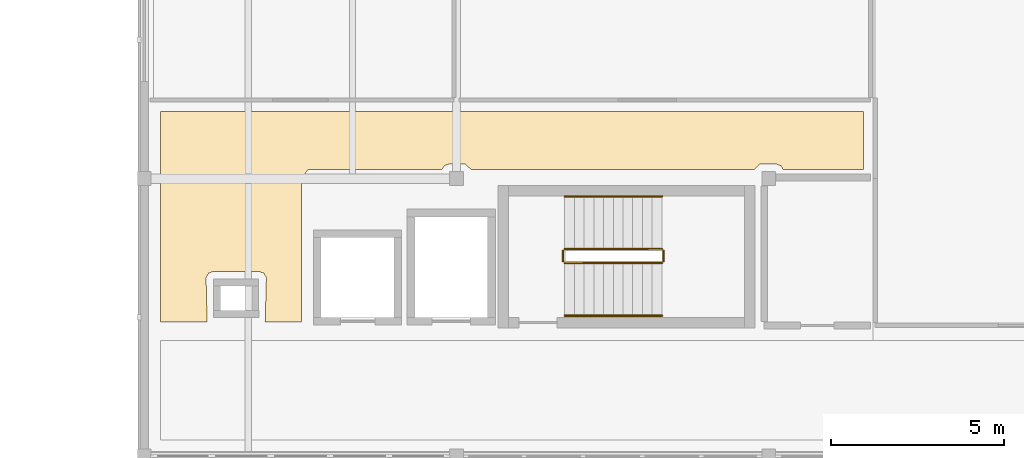
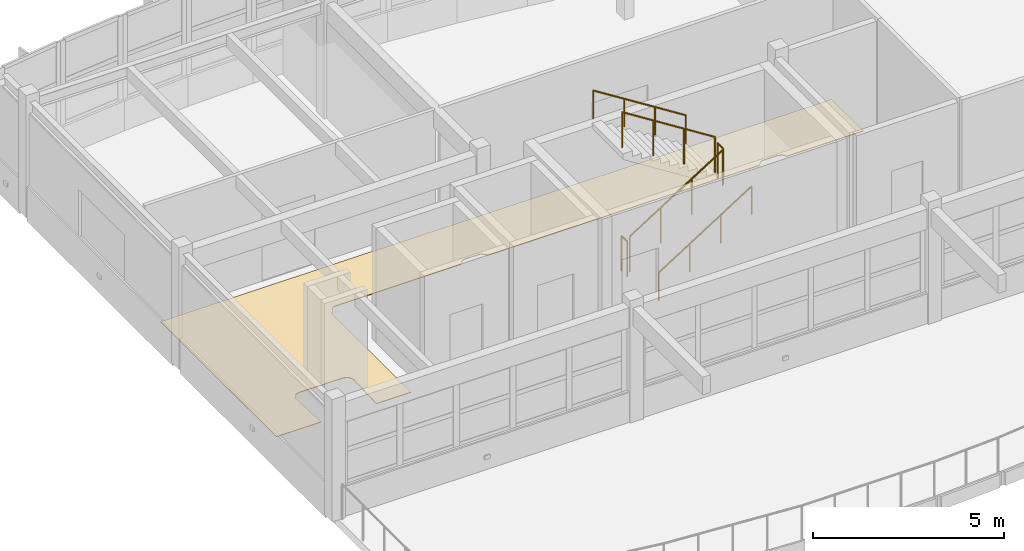
# One storey, part 45 of 52: 6 railings, 1 covering.
"""IFC4 building model written with IfcOpenShell, lengths in metres."""

from ifc_helpers import new_model, si_unit, direction, frame, origin, origin_2d, place, context, subcontext, project, spatial, polyline, circle, outline, extrude, material, layer, layer_set, type_object, element, save


model = new_model("IFC4")

# Units and contexts
model_context = context("Model", 3, precision=1e-05, world=origin(), true_north=direction((0.0, 1.0)))
body_context = subcontext(model_context, "Body", "Model", "MODEL_VIEW")
ifc_project = project(units=[si_unit("LENGTHUNIT", "METRE"), si_unit("AREAUNIT", "SQUARE_METRE"), si_unit("VOLUMEUNIT", "CUBIC_METRE"), si_unit("PLANEANGLEUNIT", "RADIAN"), si_unit("MASSUNIT", "GRAM", prefix="KILO")], contexts=[model_context])

# Site, building, storey
site_placement = place(None, origin())
site = spatial("IfcSite", under=ifc_project, at=site_placement, CompositionType="ELEMENT")
building_placement = place(site_placement, origin())
building = spatial("IfcBuilding", under=site, at=building_placement, Name="Tonlespit Floodbar School", CompositionType="ELEMENT")
storey_placement = place(building_placement, frame((0.0, 0.0, 12.300048828125)))
storey = spatial("IfcBuildingStorey", under=building, at=storey_placement, Name="L03", CompositionType="ELEMENT", Elevation=12.300048828125)

# Covering
ifc_material_1 = material(Name="Terrazzo Tile")
ifc_layer = layer(ifc_material_1, 0.02001953125)
ifc_layer_set = layer_set([ifc_layer], Name="Terrazzo Tile")
covering_type = type_object("IfcCoveringType", Name="Flooring_Terrazzo_20", PredefinedType="FLOORING", material=ifc_layer_set)
covering_placement = place(storey_placement, origin())
element("IfcCovering", 1, at=covering_placement, inside=storey, type_object=covering_type, Name="L03 West Lobby Passage L03 terrazzo flooring", PredefinedType="FLOORING", context=body_context, shape_type="SweptSolid", body=[
    extrude(outline(polyline([(45.781005859375, 109.1396484375), (45.81298828125, 107.8701171875), (44.469970703125, 107.8701171875), (44.469970703125, 113.929931640625), (64.72998046875, 113.929931640625), (64.72998046875, 112.27001953125), (62.413330078125, 112.27001953125), (62.346923828125, 112.37451171875), (62.219970703125, 112.419921875), (61.740966796875, 112.416259765625), (61.586669921875, 112.27001953125), (53.413330078125, 112.27001953125), (53.259033203125, 112.416259765625), (52.780029296875, 112.419921875), (52.653076171875, 112.37451171875), (52.586669921875, 112.27001953125), (48.718505859375, 112.25732421875), (48.530029296875, 112.0), (48.530029296875, 107.8701171875), (47.487060546875, 107.8701171875), (47.51904296875, 109.1396484375), (47.447021484375, 109.274658203125), (47.320068359375, 109.320068359375), (45.97998046875, 109.320068359375), (45.85302734375, 109.274658203125), (45.781005859375, 109.1396484375)])), origin(), (0.0, 0.0, 1.0), 0.02001953125),
])

# Railings
ifc_material_2 = material(Name="Galvanised Steel", Category="steel")
railing_type_1 = type_object("IfcRailingType", Name="Guard_Int_1150", PredefinedType="BALUSTRADE", material=ifc_material_2)
railing_1_placement = place(storey_placement, frame((56.1201171875, 109.570068359375, 0.17724609375)))
element("IfcRailing", 2, at=railing_1_placement, inside=storey, type_object=railing_type_1, Name="L03 ST-C1 stair guard 1", PredefinedType="BALUSTRADE", context=body_context, shape_type="SweptSolid", body=[
    extrude(circle(Radius=0.02392578125, at=origin_2d()), frame((0.0, 0.0, 1.1259765625), z_axis=(0.844887892834, 0.0, 0.53494340686), x_axis=(0.0, 1.0, 0.0)), (0.0, 0.0, 1.0), 3.313720703125),
    extrude(circle(Radius=0.02099609375, at=origin_2d()), origin(), (0.0, 0.0, 1.0), 1.101806640625),
    extrude(circle(Radius=0.02099609375, at=origin_2d()), frame((0.933349609375, 0.0, 0.5908203125)), (0.0, 0.0, 1.0), 1.101806640625),
    extrude(circle(Radius=0.02099609375, at=origin_2d()), frame((1.866455078125, 0.0, 1.181884765625)), (0.0, 0.0, 1.0), 1.101806640625),
    extrude(circle(Radius=0.02099609375, at=origin_2d()), frame((2.7998046875, 0.0, 1.772705078125)), (0.0, 0.0, 1.0), 1.101806640625),
])
railing_2_placement = place(storey_placement, frame((58.969970703125, 109.6201171875, 1.949951171875)))
element("IfcRailing", 3, at=railing_2_placement, inside=storey, type_object=railing_type_1, Name="L03 ST-C1 stair guard 2", PredefinedType="BALUSTRADE", context=body_context, shape_type="SweptSolid", body=[
    extrude(circle(Radius=0.02392578125, at=origin_2d()), frame((0.0, 0.0, 1.1259765625), z_axis=(0.0, 1.0, 0.0), x_axis=(-1.0, 0.0, 0.0)), (0.0, 0.0, 1.0), 0.2998046875),
    extrude(circle(Radius=0.02099609375, at=origin_2d()), origin(), (0.0, 0.0, 1.0), 1.101806640625),
    extrude(circle(Radius=0.02099609375, at=origin_2d()), frame((0.0, 0.2998046875, 0.0)), (0.0, 0.0, 1.0), 1.101806640625),
])
railing_3_placement = place(storey_placement, frame((58.919921875, 109.969970703125, 2.127197265625)))
element("IfcRailing", 4, at=railing_3_placement, inside=storey, type_object=railing_type_1, Name="L03 ST-C1 stair guard 3", PredefinedType="BALUSTRADE", context=body_context, shape_type="SweptSolid", body=[
    extrude(circle(Radius=0.02392578125, at=origin_2d()), frame((0.0, 0.0, 1.1259765625), z_axis=(-0.844887892834, 0.0, 0.53494340686), x_axis=(0.0, -1.0, 0.0)), (0.0, 0.0, 1.0), 3.313720703125),
    extrude(circle(Radius=0.02099609375, at=origin_2d()), origin(), (0.0, 0.0, 1.0), 1.101806640625),
    extrude(circle(Radius=0.02099609375, at=origin_2d()), frame((-0.933349609375, 0.0, 0.5908203125)), (0.0, 0.0, 1.0), 1.101806640625),
    extrude(circle(Radius=0.02099609375, at=origin_2d()), frame((-1.866455078125, 0.0, 1.181884765625)), (0.0, 0.0, 1.0), 1.101806640625),
    extrude(circle(Radius=0.02099609375, at=origin_2d()), frame((-2.7998046875, 0.0, 1.772705078125)), (0.0, 0.0, 1.0), 1.101806640625),
])
railing_4_placement = place(storey_placement, frame((56.070068359375, 109.6201171875, 0.0)))
element("IfcRailing", 5, at=railing_4_placement, inside=storey, type_object=railing_type_1, Name="L03 ST-C1 stair guard 4", PredefinedType="BALUSTRADE", context=body_context, shape_type="SweptSolid", body=[
    extrude(circle(Radius=0.02392578125, at=origin_2d()), frame((0.0, 0.0, 1.1259765625), z_axis=(0.0, 1.0, 0.0), x_axis=(-1.0, 0.0, 0.0)), (0.0, 0.0, 1.0), 0.2998046875),
    extrude(circle(Radius=0.02099609375, at=origin_2d()), origin(), (0.0, 0.0, 1.0), 1.101806640625),
    extrude(circle(Radius=0.02099609375, at=origin_2d()), frame((0.0, 0.2998046875, 0.0)), (0.0, 0.0, 1.0), 1.101806640625),
])
railing_type_2 = type_object("IfcRailingType", Name="Handrail_Int_920", PredefinedType="HANDRAIL", material=ifc_material_2)
railing_5_placement = place(storey_placement, frame((56.1201171875, 108.050048828125, 0.17724609375)))
element("IfcRailing", 6, at=railing_5_placement, inside=storey, type_object=railing_type_2, Name="L03 ST-C1 stair handrail 1", PredefinedType="HANDRAIL", context=body_context, shape_type="SweptSolid", body=[
    extrude(circle(Radius=0.02392578125, at=origin_2d()), frame((0.0, 0.0, 0.89599609375), z_axis=(0.844887892834, 0.0, 0.53494340686), x_axis=(0.0, 1.0, 0.0)), (0.0, 0.0, 1.0), 3.313720703125),
    extrude(circle(Radius=0.02099609375, at=origin_2d()), origin(), (0.0, 0.0, 1.0), 0.871826171875),
    extrude(circle(Radius=0.02099609375, at=origin_2d()), frame((0.933349609375, 0.0, 0.5908203125)), (0.0, 0.0, 1.0), 0.871826171875),
    extrude(circle(Radius=0.02099609375, at=origin_2d()), frame((1.866455078125, 0.0, 1.181884765625)), (0.0, 0.0, 1.0), 0.871826171875),
    extrude(circle(Radius=0.02099609375, at=origin_2d()), frame((2.7998046875, 0.0, 1.772705078125)), (0.0, 0.0, 1.0), 0.871826171875),
])
railing_6_placement = place(storey_placement, frame((58.919921875, 111.489990234375, 2.127197265625)))
element("IfcRailing", 7, at=railing_6_placement, inside=storey, type_object=railing_type_2, Name="L03 ST-C1 stair handrail 2", PredefinedType="HANDRAIL", context=body_context, shape_type="SweptSolid", body=[
    extrude(circle(Radius=0.02392578125, at=origin_2d()), frame((0.0, 0.0, 0.89599609375), z_axis=(-0.844887892834, 0.0, 0.53494340686), x_axis=(0.0, -1.0, 0.0)), (0.0, 0.0, 1.0), 3.313720703125),
    extrude(circle(Radius=0.02099609375, at=origin_2d()), origin(), (0.0, 0.0, 1.0), 0.871826171875),
    extrude(circle(Radius=0.02099609375, at=origin_2d()), frame((-0.933349609375, 0.0, 0.5908203125)), (0.0, 0.0, 1.0), 0.871826171875),
    extrude(circle(Radius=0.02099609375, at=origin_2d()), frame((-1.866455078125, 0.0, 1.181884765625)), (0.0, 0.0, 1.0), 0.871826171875),
    extrude(circle(Radius=0.02099609375, at=origin_2d()), frame((-2.7998046875, 0.0, 1.772705078125)), (0.0, 0.0, 1.0), 0.871826171875),
])

save(model, "model.ifc")
